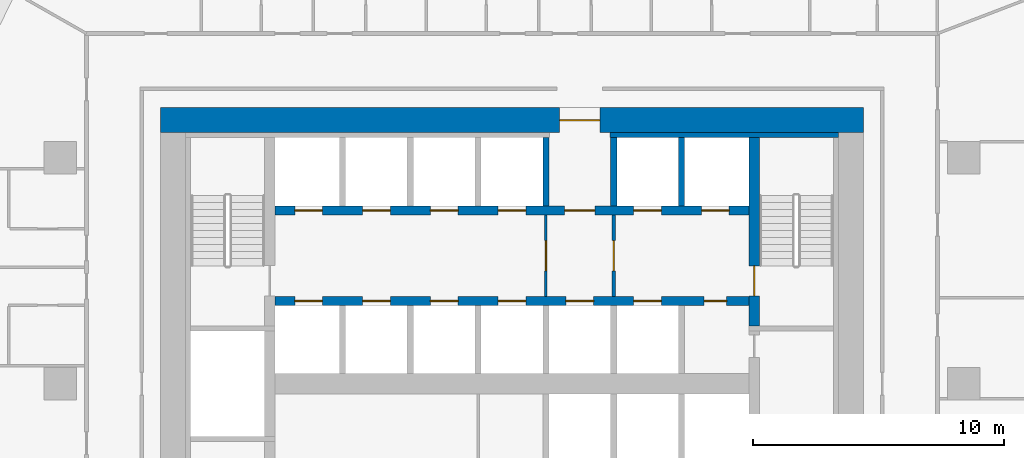
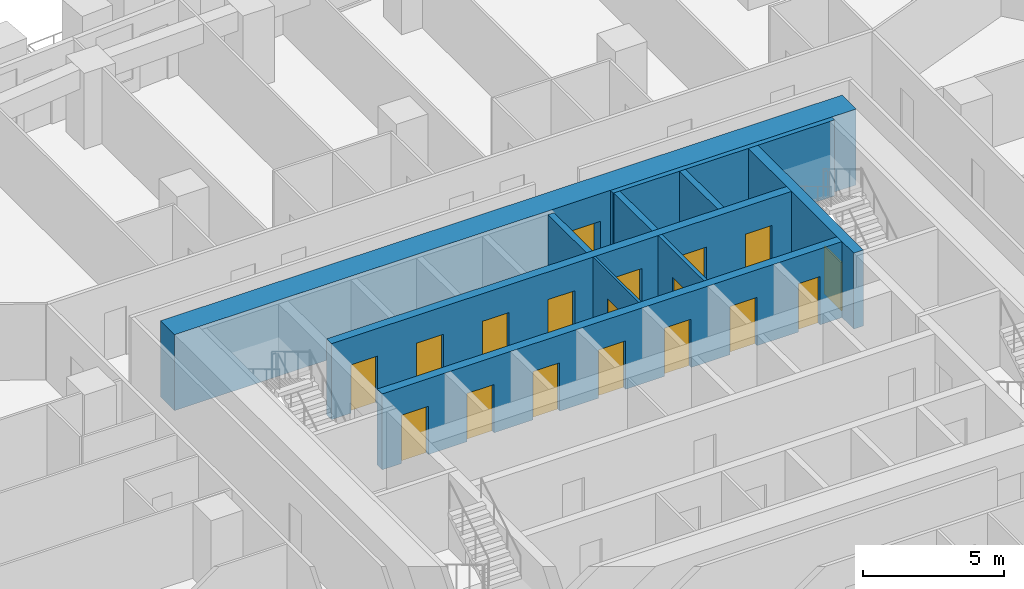
# One storey, part 16 of 24: 18 doors, 10 walls, 18 openings.
"""IFC4 building model written with IfcOpenShell, lengths in metres."""

from ifc_helpers import new_model, si_unit, direction, frame, frame_2d, origin, place, context, subcontext, project, spatial, rectangle, extrude, material, layer, layer_set, type_object, element, fill, save


model = new_model("IFC4")

# Units and contexts
model_context = context("Model", 3, precision=1e-05, world=origin(), true_north=direction((0.0, 1.0)))
body_context = subcontext(model_context, "Body", "Model", "MODEL_VIEW")
ifc_project = project(units=[si_unit("LENGTHUNIT", "METRE"), si_unit("AREAUNIT", "SQUARE_METRE"), si_unit("VOLUMEUNIT", "CUBIC_METRE"), si_unit("PLANEANGLEUNIT", "RADIAN"), si_unit("MASSUNIT", "GRAM", prefix="KILO")], contexts=[model_context])

# Site, building, storey
site_placement = place(None, origin())
site = spatial("IfcSite", under=ifc_project, at=site_placement, CompositionType="ELEMENT")
building_placement = place(site_placement, origin())
building = spatial("IfcBuilding", under=site, at=building_placement, Name="Dongbaek Canopy Tower", CompositionType="ELEMENT")
storey_placement = place(building_placement, frame((0.0, 0.0, 110.0)))
storey = spatial("IfcBuildingStorey", under=building, at=storey_placement, Name="L23", CompositionType="ELEMENT", Elevation=110.0)

# Wall, openings, doors
ifc_material_1 = material(Name="Concrete C60/75", Category="concrete")
ifc_layer_1 = layer(ifc_material_1, 0.35009765625)
ifc_layer_set_1 = layer_set([ifc_layer_1], Name="Core lobby wall 350 Concrete C60/75")
wall_type_1 = type_object("IfcWallType", Name="Core lobby wall 350 Concrete C60/75", PredefinedType="SHEAR", material=ifc_layer_set_1)
wall_1_placement = place(storey_placement, frame((-9.449951171875, 6.89990234375, 0.0), z_axis=(0.0, 0.0, 1.0), x_axis=(1.0, 0.0, 0.0)))
wall_1 = element("IfcWall", 1, at=wall_1_placement, inside=storey, type_object=wall_type_1, Name="Core wall", PredefinedType="SHEAR", context=body_context, shape_type="SweptSolid", body=[
    extrude(rectangle(XDim=18.89990234375, YDim=0.35009765625, at=frame_2d((9.449951171875, 0.0))), origin(), (0.0, 0.0, 1.0), 3.300048828125),
])
opening_1_placement = place(wall_1_placement, frame((0.800048828125, 0.0, 0.0)))
opening_1 = element("IfcOpeningElement", 2, at=opening_1_placement, cuts=wall_1, Name="Opening L23-D042", PredefinedType="OPENING", context=body_context, shape_type="SweptSolid", body=[
    extrude(rectangle(XDim=1.10009765625, YDim=2.10009765625, at=frame_2d((0.550048828125, 1.050048828125))), frame((0.0, 0.18505859375, 0.0), z_axis=(0.0, -1.0, 0.0), x_axis=(1.0, 0.0, 0.0)), (0.0, 0.0, 1.0), 0.3701171875),
])
opening_2_placement = place(wall_1_placement, frame((3.5, 0.0, 0.0)))
opening_2 = element("IfcOpeningElement", 3, at=opening_2_placement, cuts=wall_1, Name="Opening L23-D043", PredefinedType="OPENING", context=body_context, shape_type="SweptSolid", body=[
    extrude(rectangle(XDim=1.10009765625, YDim=2.10009765625, at=frame_2d((0.550048828125, 1.050048828125))), frame((0.0, 0.18505859375, 0.0), z_axis=(0.0, -1.0, 0.0), x_axis=(1.0, 0.0, 0.0)), (0.0, 0.0, 1.0), 0.3701171875),
])
opening_3_placement = place(wall_1_placement, frame((6.199951171875, 0.0, 0.0)))
opening_3 = element("IfcOpeningElement", 4, at=opening_3_placement, cuts=wall_1, Name="Opening L23-D044", PredefinedType="OPENING", context=body_context, shape_type="SweptSolid", body=[
    extrude(rectangle(XDim=1.10009765625, YDim=2.10009765625, at=frame_2d((0.550048828125, 1.050048828125))), frame((0.0, 0.18505859375, 0.0), z_axis=(0.0, -1.0, 0.0), x_axis=(1.0, 0.0, 0.0)), (0.0, 0.0, 1.0), 0.3701171875),
])
opening_4_placement = place(wall_1_placement, frame((8.89990234375, 0.0, 0.0)))
opening_4 = element("IfcOpeningElement", 5, at=opening_4_placement, cuts=wall_1, Name="Opening L23-D045", PredefinedType="OPENING", context=body_context, shape_type="SweptSolid", body=[
    extrude(rectangle(XDim=1.10009765625, YDim=2.10009765625, at=frame_2d((0.550048828125, 1.050048828125))), frame((0.0, 0.18505859375, 0.0), z_axis=(0.0, -1.0, 0.0), x_axis=(1.0, 0.0, 0.0)), (0.0, 0.0, 1.0), 0.3701171875),
])
opening_5_placement = place(wall_1_placement, frame((11.550048828125, 0.0, 0.0)))
opening_5 = element("IfcOpeningElement", 6, at=opening_5_placement, cuts=wall_1, Name="Opening L23-D047", PredefinedType="OPENING", context=body_context, shape_type="SweptSolid", body=[
    extrude(rectangle(XDim=1.199951171875, YDim=2.10009765625, at=frame_2d((0.60009765625, 1.050048828125))), frame((0.0, 0.18505859375, 0.0), z_axis=(0.0, -1.0, 0.0), x_axis=(1.0, 0.0, 0.0)), (0.0, 0.0, 1.0), 0.3701171875),
])
opening_6_placement = place(wall_1_placement, frame((14.300048828125, 0.0, 0.0)))
opening_6 = element("IfcOpeningElement", 7, at=opening_6_placement, cuts=wall_1, Name="Opening L23-D048", PredefinedType="OPENING", context=body_context, shape_type="SweptSolid", body=[
    extrude(rectangle(XDim=1.10009765625, YDim=2.10009765625, at=frame_2d((0.550048828125, 1.050048828125))), frame((0.0, 0.18505859375, 0.0), z_axis=(0.0, -1.0, 0.0), x_axis=(1.0, 0.0, 0.0)), (0.0, 0.0, 1.0), 0.3701171875),
])
opening_7_placement = place(wall_1_placement, frame((17.0, 0.0, 0.0)))
opening_7 = element("IfcOpeningElement", 8, at=opening_7_placement, cuts=wall_1, Name="Opening L23-D049", PredefinedType="OPENING", context=body_context, shape_type="SweptSolid", body=[
    extrude(rectangle(XDim=1.10009765625, YDim=2.10009765625, at=frame_2d((0.550048828125, 1.050048828125))), frame((0.0, 0.18505859375, 0.0), z_axis=(0.0, -1.0, 0.0), x_axis=(1.0, 0.0, 0.0)), (0.0, 0.0, 1.0), 0.3701171875),
])
ifc_material_2 = material(Name="Steel", Category="steel")
door_type_1 = type_object("IfcDoorType", Name="Fire lobby door 1200 x 2100", OperationType="SINGLE_SWING_LEFT", PredefinedType="DOOR", material=ifc_material_2)
door_1_placement = place(opening_5_placement, origin())
door_1 = element("IfcDoor", 9, at=door_1_placement, inside=storey, type_object=door_type_1, Name="Door L23-D047", OperationType="SINGLE_SWING_LEFT", OverallHeight=2.10009765625, OverallWidth=1.199951171875, PredefinedType="DOOR", context=body_context, shape_type="SweptSolid", body=[
    extrude(rectangle(XDim=1.199951171875, YDim=2.10009765625, at=frame_2d((0.60009765625, 1.050048828125))), frame((0.0, 0.02490234375, 0.0), z_axis=(0.0, -1.0, 0.0), x_axis=(1.0, 0.0, 0.0)), (0.0, 0.0, 1.0), 0.050048828125),
])
fill(opening_5, door_1)
ifc_material_3 = material(Name="Stainless steel", Category="steel")
door_type_2 = type_object("IfcDoorType", Name="Lift landing door 1100 x 2100", OperationType="DOUBLE_DOOR_SLIDING", PredefinedType="DOOR", material=ifc_material_3)
door_2_placement = place(opening_1_placement, origin())
door_2 = element("IfcDoor", 10, at=door_2_placement, inside=storey, type_object=door_type_2, Name="Landing door LR1", OperationType="DOUBLE_DOOR_SLIDING", OverallHeight=2.10009765625, OverallWidth=1.10009765625, PredefinedType="DOOR", context=body_context, shape_type="SweptSolid", body=[
    extrude(rectangle(XDim=1.10009765625, YDim=2.10009765625, at=frame_2d((0.550048828125, 1.050048828125))), frame((0.0, 0.02490234375, 0.0), z_axis=(0.0, -1.0, 0.0), x_axis=(1.0, 0.0, 0.0)), (0.0, 0.0, 1.0), 0.050048828125),
])
fill(opening_1, door_2)
door_3_placement = place(opening_2_placement, origin())
door_3 = element("IfcDoor", 11, at=door_3_placement, inside=storey, type_object=door_type_2, Name="Landing door LR2", OperationType="DOUBLE_DOOR_SLIDING", OverallHeight=2.10009765625, OverallWidth=1.10009765625, PredefinedType="DOOR", context=body_context, shape_type="SweptSolid", body=[
    extrude(rectangle(XDim=1.10009765625, YDim=2.10009765625, at=frame_2d((0.550048828125, 1.050048828125))), frame((0.0, 0.02490234375, 0.0), z_axis=(0.0, -1.0, 0.0), x_axis=(1.0, 0.0, 0.0)), (0.0, 0.0, 1.0), 0.050048828125),
])
fill(opening_2, door_3)
door_4_placement = place(opening_3_placement, origin())
door_4 = element("IfcDoor", 12, at=door_4_placement, inside=storey, type_object=door_type_2, Name="Landing door LR3", OperationType="DOUBLE_DOOR_SLIDING", OverallHeight=2.10009765625, OverallWidth=1.10009765625, PredefinedType="DOOR", context=body_context, shape_type="SweptSolid", body=[
    extrude(rectangle(XDim=1.10009765625, YDim=2.10009765625, at=frame_2d((0.550048828125, 1.050048828125))), frame((0.0, 0.02490234375, 0.0), z_axis=(0.0, -1.0, 0.0), x_axis=(1.0, 0.0, 0.0)), (0.0, 0.0, 1.0), 0.050048828125),
])
fill(opening_3, door_4)
door_5_placement = place(opening_4_placement, origin())
door_5 = element("IfcDoor", 13, at=door_5_placement, inside=storey, type_object=door_type_2, Name="Landing door LR4", OperationType="DOUBLE_DOOR_SLIDING", OverallHeight=2.10009765625, OverallWidth=1.10009765625, PredefinedType="DOOR", context=body_context, shape_type="SweptSolid", body=[
    extrude(rectangle(XDim=1.10009765625, YDim=2.10009765625, at=frame_2d((0.550048828125, 1.050048828125))), frame((0.0, 0.02490234375, 0.0), z_axis=(0.0, -1.0, 0.0), x_axis=(1.0, 0.0, 0.0)), (0.0, 0.0, 1.0), 0.050048828125),
])
fill(opening_4, door_5)
door_6_placement = place(opening_6_placement, origin())
door_6 = element("IfcDoor", 14, at=door_6_placement, inside=storey, type_object=door_type_2, Name="Landing door FF1", OperationType="DOUBLE_DOOR_SLIDING", OverallHeight=2.10009765625, OverallWidth=1.10009765625, PredefinedType="DOOR", context=body_context, shape_type="SweptSolid", body=[
    extrude(rectangle(XDim=1.10009765625, YDim=2.10009765625, at=frame_2d((0.550048828125, 1.050048828125))), frame((0.0, 0.02490234375, 0.0), z_axis=(0.0, -1.0, 0.0), x_axis=(1.0, 0.0, 0.0)), (0.0, 0.0, 1.0), 0.050048828125),
])
fill(opening_6, door_6)
door_7_placement = place(opening_7_placement, origin())
door_7 = element("IfcDoor", 15, at=door_7_placement, inside=storey, type_object=door_type_2, Name="Landing door FF2", OperationType="DOUBLE_DOOR_SLIDING", OverallHeight=2.10009765625, OverallWidth=1.10009765625, PredefinedType="DOOR", context=body_context, shape_type="SweptSolid", body=[
    extrude(rectangle(XDim=1.10009765625, YDim=2.10009765625, at=frame_2d((0.550048828125, 1.050048828125))), frame((0.0, 0.02490234375, 0.0), z_axis=(0.0, -1.0, 0.0), x_axis=(1.0, 0.0, 0.0)), (0.0, 0.0, 1.0), 0.050048828125),
])
fill(opening_7, door_7)

wall_2_placement = place(storey_placement, frame((9.449951171875, 3.300048828125, 0.0), z_axis=(0.0, 0.0, 1.0), x_axis=(-1.0, 0.0, 0.0)))
wall_2 = element("IfcWall", 16, at=wall_2_placement, inside=storey, type_object=wall_type_1, Name="Core wall", PredefinedType="SHEAR", context=body_context, shape_type="SweptSolid", body=[
    extrude(rectangle(XDim=18.89990234375, YDim=0.35009765625, at=frame_2d((9.449951171875, 0.0))), origin(), (0.0, 0.0, 1.0), 3.300048828125),
])
opening_8_placement = place(wall_2_placement, frame((17.0, 0.0, 0.0)))
opening_8 = element("IfcOpeningElement", 17, at=opening_8_placement, cuts=wall_2, Name="Opening L23-D050", PredefinedType="OPENING", context=body_context, shape_type="SweptSolid", body=[
    extrude(rectangle(XDim=1.10009765625, YDim=2.10009765625, at=frame_2d((0.550048828125, 1.050048828125))), frame((0.0, 0.18505859375, 0.0), z_axis=(0.0, -1.0, 0.0), x_axis=(1.0, 0.0, 0.0)), (0.0, 0.0, 1.0), 0.3701171875),
])
opening_9_placement = place(wall_2_placement, frame((14.300048828125, 0.0, 0.0)))
opening_9 = element("IfcOpeningElement", 18, at=opening_9_placement, cuts=wall_2, Name="Opening L23-D051", PredefinedType="OPENING", context=body_context, shape_type="SweptSolid", body=[
    extrude(rectangle(XDim=1.10009765625, YDim=2.10009765625, at=frame_2d((0.550048828125, 1.050048828125))), frame((0.0, 0.18505859375, 0.0), z_axis=(0.0, -1.0, 0.0), x_axis=(1.0, 0.0, 0.0)), (0.0, 0.0, 1.0), 0.3701171875),
])
opening_10_placement = place(wall_2_placement, frame((11.60009765625, 0.0, 0.0)))
opening_10 = element("IfcOpeningElement", 19, at=opening_10_placement, cuts=wall_2, Name="Opening L23-D052", PredefinedType="OPENING", context=body_context, shape_type="SweptSolid", body=[
    extrude(rectangle(XDim=1.10009765625, YDim=2.10009765625, at=frame_2d((0.550048828125, 1.050048828125))), frame((0.0, 0.18505859375, 0.0), z_axis=(0.0, -1.0, 0.0), x_axis=(1.0, 0.0, 0.0)), (0.0, 0.0, 1.0), 0.3701171875),
])
opening_11_placement = place(wall_2_placement, frame((8.89990234375, 0.0, 0.0)))
opening_11 = element("IfcOpeningElement", 20, at=opening_11_placement, cuts=wall_2, Name="Opening L23-D053", PredefinedType="OPENING", context=body_context, shape_type="SweptSolid", body=[
    extrude(rectangle(XDim=1.10009765625, YDim=2.10009765625, at=frame_2d((0.550048828125, 1.050048828125))), frame((0.0, 0.18505859375, 0.0), z_axis=(0.0, -1.0, 0.0), x_axis=(1.0, 0.0, 0.0)), (0.0, 0.0, 1.0), 0.3701171875),
])
opening_12_placement = place(wall_2_placement, frame((6.199951171875, 0.0, 0.0)))
opening_12 = element("IfcOpeningElement", 21, at=opening_12_placement, cuts=wall_2, Name="Opening L23-D054", PredefinedType="OPENING", context=body_context, shape_type="SweptSolid", body=[
    extrude(rectangle(XDim=1.10009765625, YDim=2.10009765625, at=frame_2d((0.550048828125, 1.050048828125))), frame((0.0, 0.18505859375, 0.0), z_axis=(0.0, -1.0, 0.0), x_axis=(1.0, 0.0, 0.0)), (0.0, 0.0, 1.0), 0.3701171875),
])
opening_13_placement = place(wall_2_placement, frame((3.5, 0.0, 0.0)))
opening_13 = element("IfcOpeningElement", 22, at=opening_13_placement, cuts=wall_2, Name="Opening L23-D055", PredefinedType="OPENING", context=body_context, shape_type="SweptSolid", body=[
    extrude(rectangle(XDim=1.10009765625, YDim=2.10009765625, at=frame_2d((0.550048828125, 1.050048828125))), frame((0.0, 0.18505859375, 0.0), z_axis=(0.0, -1.0, 0.0), x_axis=(1.0, 0.0, 0.0)), (0.0, 0.0, 1.0), 0.3701171875),
])
opening_14_placement = place(wall_2_placement, frame((0.89990234375, 0.0, 0.0)))
opening_14 = element("IfcOpeningElement", 23, at=opening_14_placement, cuts=wall_2, Name="Opening L23-D056", PredefinedType="OPENING", context=body_context, shape_type="SweptSolid", body=[
    extrude(rectangle(XDim=0.89990234375, YDim=2.10009765625, at=frame_2d((0.449951171875, 1.050048828125))), frame((0.0, 0.18505859375, 0.0), z_axis=(0.0, -1.0, 0.0), x_axis=(1.0, 0.0, 0.0)), (0.0, 0.0, 1.0), 0.3701171875),
])
ifc_material_4 = material(Name="Steel", Category="steel")
door_type_3 = type_object("IfcDoorType", Name="Core room door 900 x 2100", OperationType="SINGLE_SWING_LEFT", PredefinedType="DOOR", material=ifc_material_4)
door_8_placement = place(opening_14_placement, origin())
door_8 = element("IfcDoor", 24, at=door_8_placement, inside=storey, type_object=door_type_3, Name="Door L23-D056", OperationType="SINGLE_SWING_LEFT", OverallHeight=2.10009765625, OverallWidth=0.89990234375, PredefinedType="DOOR", context=body_context, shape_type="SweptSolid", body=[
    extrude(rectangle(XDim=0.89990234375, YDim=2.10009765625, at=frame_2d((0.449951171875, 1.050048828125))), frame((0.0, 0.02490234375, 0.0), z_axis=(0.0, -1.0, 0.0), x_axis=(1.0, 0.0, 0.0)), (0.0, 0.0, 1.0), 0.050048828125),
])
fill(opening_14, door_8)
door_9_placement = place(opening_8_placement, origin())
door_9 = element("IfcDoor", 25, at=door_9_placement, inside=storey, type_object=door_type_2, Name="Landing door LR5", OperationType="DOUBLE_DOOR_SLIDING", OverallHeight=2.10009765625, OverallWidth=1.10009765625, PredefinedType="DOOR", context=body_context, shape_type="SweptSolid", body=[
    extrude(rectangle(XDim=1.10009765625, YDim=2.10009765625, at=frame_2d((0.550048828125, 1.050048828125))), frame((0.0, 0.02490234375, 0.0), z_axis=(0.0, -1.0, 0.0), x_axis=(1.0, 0.0, 0.0)), (0.0, 0.0, 1.0), 0.050048828125),
])
fill(opening_8, door_9)
door_10_placement = place(opening_9_placement, origin())
door_10 = element("IfcDoor", 26, at=door_10_placement, inside=storey, type_object=door_type_2, Name="Landing door LR6", OperationType="DOUBLE_DOOR_SLIDING", OverallHeight=2.10009765625, OverallWidth=1.10009765625, PredefinedType="DOOR", context=body_context, shape_type="SweptSolid", body=[
    extrude(rectangle(XDim=1.10009765625, YDim=2.10009765625, at=frame_2d((0.550048828125, 1.050048828125))), frame((0.0, 0.02490234375, 0.0), z_axis=(0.0, -1.0, 0.0), x_axis=(1.0, 0.0, 0.0)), (0.0, 0.0, 1.0), 0.050048828125),
])
fill(opening_9, door_10)
door_11_placement = place(opening_10_placement, origin())
door_11 = element("IfcDoor", 27, at=door_11_placement, inside=storey, type_object=door_type_2, Name="Landing door LR7", OperationType="DOUBLE_DOOR_SLIDING", OverallHeight=2.10009765625, OverallWidth=1.10009765625, PredefinedType="DOOR", context=body_context, shape_type="SweptSolid", body=[
    extrude(rectangle(XDim=1.10009765625, YDim=2.10009765625, at=frame_2d((0.550048828125, 1.050048828125))), frame((0.0, 0.02490234375, 0.0), z_axis=(0.0, -1.0, 0.0), x_axis=(1.0, 0.0, 0.0)), (0.0, 0.0, 1.0), 0.050048828125),
])
fill(opening_10, door_11)
door_12_placement = place(opening_11_placement, origin())
door_12 = element("IfcDoor", 28, at=door_12_placement, inside=storey, type_object=door_type_2, Name="Landing door LR8", OperationType="DOUBLE_DOOR_SLIDING", OverallHeight=2.10009765625, OverallWidth=1.10009765625, PredefinedType="DOOR", context=body_context, shape_type="SweptSolid", body=[
    extrude(rectangle(XDim=1.10009765625, YDim=2.10009765625, at=frame_2d((0.550048828125, 1.050048828125))), frame((0.0, 0.02490234375, 0.0), z_axis=(0.0, -1.0, 0.0), x_axis=(1.0, 0.0, 0.0)), (0.0, 0.0, 1.0), 0.050048828125),
])
fill(opening_11, door_12)
door_13_placement = place(opening_12_placement, origin())
door_13 = element("IfcDoor", 29, at=door_13_placement, inside=storey, type_object=door_type_2, Name="Landing door SV1", OperationType="DOUBLE_DOOR_SLIDING", OverallHeight=2.10009765625, OverallWidth=1.10009765625, PredefinedType="DOOR", context=body_context, shape_type="SweptSolid", body=[
    extrude(rectangle(XDim=1.10009765625, YDim=2.10009765625, at=frame_2d((0.550048828125, 1.050048828125))), frame((0.0, 0.02490234375, 0.0), z_axis=(0.0, -1.0, 0.0), x_axis=(1.0, 0.0, 0.0)), (0.0, 0.0, 1.0), 0.050048828125),
])
fill(opening_12, door_13)
door_14_placement = place(opening_13_placement, origin())
door_14 = element("IfcDoor", 30, at=door_14_placement, inside=storey, type_object=door_type_2, Name="Landing door FF3", OperationType="DOUBLE_DOOR_SLIDING", OverallHeight=2.10009765625, OverallWidth=1.10009765625, PredefinedType="DOOR", context=body_context, shape_type="SweptSolid", body=[
    extrude(rectangle(XDim=1.10009765625, YDim=2.10009765625, at=frame_2d((0.550048828125, 1.050048828125))), frame((0.0, 0.02490234375, 0.0), z_axis=(0.0, -1.0, 0.0), x_axis=(1.0, 0.0, 0.0)), (0.0, 0.0, 1.0), 0.050048828125),
])
fill(opening_13, door_14)

# Wall, opening, door
ifc_material_5 = material(Name="Concrete C60/75", Category="concrete")
ifc_layer_2 = layer(ifc_material_5, 1.0)
ifc_layer_set_2 = layer_set([ifc_layer_2], Name="Core outer wall 1000 Concrete C60/75")
wall_type_2 = type_object("IfcWallType", Name="Core outer wall 1000 Concrete C60/75", PredefinedType="SHEAR", material=ifc_layer_set_2)
wall_3_placement = place(storey_placement, frame((-14.0, 10.5, 0.0), z_axis=(0.0, 0.0, 1.0), x_axis=(1.0, 0.0, 0.0)))
wall_3 = element("IfcWall", 31, at=wall_3_placement, inside=storey, type_object=wall_type_2, Name="Core wall", PredefinedType="SHEAR", context=body_context, shape_type="SweptSolid", body=[
    extrude(rectangle(XDim=28.0, YDim=1.0, at=frame_2d((14.0, 0.0))), origin(), (0.0, 0.0, 1.0), 3.300048828125),
])
opening_15_placement = place(wall_3_placement, frame((15.89990234375, 0.0, 0.0)))
opening_15 = element("IfcOpeningElement", 32, at=opening_15_placement, cuts=wall_3, Name="Opening L23-D046", PredefinedType="OPENING", context=body_context, shape_type="SweptSolid", body=[
    extrude(rectangle(XDim=1.60009765625, YDim=2.10009765625, at=frame_2d((0.800048828125, 1.050048828125))), frame((0.0, 0.510009765625, 0.0), z_axis=(0.0, -1.0, 0.0), x_axis=(1.0, 0.0, 0.0)), (0.0, 0.0, 1.0), 1.02001953125),
])
ifc_material_6 = material(Name="Steel", Category="steel")
door_type_4 = type_object("IfcDoorType", Name="Core exit door 1600 x 2100", OperationType="DOUBLE_DOOR_SINGLE_SWING", PredefinedType="DOOR", material=ifc_material_6)
door_15_placement = place(opening_15_placement, origin())
door_15 = element("IfcDoor", 33, at=door_15_placement, inside=storey, type_object=door_type_4, Name="Core exit door", OperationType="DOUBLE_DOOR_SINGLE_SWING", OverallHeight=2.10009765625, OverallWidth=1.60009765625, PredefinedType="DOOR", context=body_context, shape_type="SweptSolid", body=[
    extrude(rectangle(XDim=1.60009765625, YDim=2.10009765625, at=frame_2d((0.800048828125, 1.050048828125))), frame((0.0, 0.02490234375, 0.0), z_axis=(0.0, -1.0, 0.0), x_axis=(1.0, 0.0, 0.0)), (0.0, 0.0, 1.0), 0.050048828125),
])
fill(opening_15, door_15)

# Wall
ifc_material_7 = material(Name="Concrete C60/75", Category="concrete")
ifc_layer_3 = layer(ifc_material_7, 0.199951171875)
ifc_layer_set_3 = layer_set([ifc_layer_3], Name="Core wall lining 200 Concrete C60/75")
wall_type_3 = type_object("IfcWallType", Name="Core wall lining 200 Concrete C60/75", PredefinedType="SHEAR", material=ifc_layer_set_3)
wall_4_placement = place(storey_placement, frame((3.89990234375, 9.89990234375, 0.0), z_axis=(0.0, 0.0, 1.0), x_axis=(1.0, 0.0, 0.0)))
element("IfcWall", 34, at=wall_4_placement, inside=storey, type_object=wall_type_3, Name="Core wall lining", PredefinedType="SHEAR", context=body_context, shape_type="SweptSolid", body=[
    extrude(rectangle(XDim=9.10009765625, YDim=0.199951171875, at=frame_2d((4.550048828125, 0.0))), origin(), (0.0, 0.0, 1.0), 3.300048828125),
])

# Wall, opening, door
ifc_material_8 = material(Name="Gypsum board partition, steel stud, 2 x 15 mm fire board", Category="steel")
ifc_layer_4 = layer(ifc_material_8, 0.14990234375)
ifc_layer_set_4 = layer_set([ifc_layer_4], Name="Fire-rated partition 150 gypsum board")
wall_type_4 = type_object("IfcWallType", Name="Fire-rated partition 150 gypsum board", PredefinedType="PARTITIONING", material=ifc_layer_set_4)
wall_5_placement = place(storey_placement, frame((4.050048828125, 6.72509765625, 0.0), z_axis=(0.0, 0.0, 1.0), x_axis=(0.0, -1.0, 0.0)))
wall_5 = element("IfcWall", 35, at=wall_5_placement, inside=storey, type_object=wall_type_4, Name="Fire lobby partition", PredefinedType="PARTITIONING", context=body_context, shape_type="SweptSolid", body=[
    extrude(rectangle(XDim=3.25, YDim=0.14990234375, at=frame_2d((1.625, 0.0))), origin(), (0.0, 0.0, 1.0), 3.300048828125),
])
opening_16_placement = place(wall_5_placement, frame((1.02490234375, 0.0, 0.0)))
opening_16 = element("IfcOpeningElement", 36, at=opening_16_placement, cuts=wall_5, Name="Opening L23-D070", PredefinedType="OPENING", context=body_context, shape_type="SweptSolid", body=[
    extrude(rectangle(XDim=1.199951171875, YDim=2.10009765625, at=frame_2d((0.60009765625, 1.050048828125))), frame((0.0, 0.0849609375, 0.0), z_axis=(0.0, -1.0, 0.0), x_axis=(1.0, 0.0, 0.0)), (0.0, 0.0, 1.0), 0.169921875),
])
door_16_placement = place(opening_16_placement, origin())
door_16 = element("IfcDoor", 37, at=door_16_placement, inside=storey, type_object=door_type_1, Name="Door L23-D070", OperationType="SINGLE_SWING_RIGHT", OverallHeight=2.10009765625, OverallWidth=1.199951171875, PredefinedType="DOOR", context=body_context, shape_type="SweptSolid", body=[
    extrude(rectangle(XDim=1.199951171875, YDim=2.10009765625, at=frame_2d((0.60009765625, 1.050048828125))), frame((0.0, 0.02490234375, 0.0), z_axis=(0.0, -1.0, 0.0), x_axis=(1.0, 0.0, 0.0)), (0.0, 0.0, 1.0), 0.050048828125),
])
fill(opening_16, door_16)

# Walls
ifc_material_9 = material(Name="Concrete C40/50", Category="concrete")
ifc_layer_5 = layer(ifc_material_9, 0.25)
ifc_layer_set_5 = layer_set([ifc_layer_5], Name="Lift shaft wall 250 Concrete C40/50")
wall_type_5 = type_object("IfcWallType", Name="Lift shaft wall 250 Concrete C40/50", PredefinedType="SOLIDWALL", material=ifc_layer_set_5)
for number, where, z_axis, x_axis, name in (
    (38, (6.75, 7.074951171875, 0.0), (0.0, 0.0, 1.0), (0.0, 1.0, 0.0), "Lift shaft wall"),
    (39, (4.050048828125, 7.074951171875, 0.0), (0.0, 0.0, 1.0), (0.0, 1.0, 0.0), "Lift shaft wall"),
    (40, (1.35009765625, 7.074951171875, 0.0), (0.0, 0.0, 1.0), (0.0, 1.0, 0.0), "Lift shaft wall"),
):
    element("IfcWall", number, at=place(storey_placement, frame(where, z_axis=z_axis, x_axis=x_axis)), inside=storey, type_object=wall_type_5, Name=name, PredefinedType="SOLIDWALL", context=body_context, shape_type="SweptSolid", body=[
        extrude(rectangle(XDim=2.72509765625, YDim=0.25, at=frame_2d((1.362548828125, 0.0))), origin(), (0.0, 0.0, 1.0), 3.300048828125),
    ])

# Wall, opening, door
ifc_material_10 = material(Name="Gypsum board partition, steel stud, 2 x 12.5 mm board", Category="steel")
ifc_layer_6 = layer(ifc_material_10, 0.10009765625)
ifc_layer_set_6 = layer_set([ifc_layer_6], Name="Partition 100 gypsum board")
wall_type_6 = type_object("IfcWallType", Name="Partition 100 gypsum board", PredefinedType="PARTITIONING", material=ifc_layer_set_6)
wall_6_placement = place(storey_placement, frame((1.35009765625, 6.72509765625, 0.0), z_axis=(0.0, 0.0, 1.0), x_axis=(0.0, -1.0, 0.0)))
wall_6 = element("IfcWall", 41, at=wall_6_placement, inside=storey, type_object=wall_type_6, Name="Core partition", PredefinedType="PARTITIONING", context=body_context, shape_type="SweptSolid", body=[
    extrude(rectangle(XDim=3.25, YDim=0.10009765625, at=frame_2d((1.625, 0.0))), origin(), (0.0, 0.0, 1.0), 3.300048828125),
])
opening_17_placement = place(wall_6_placement, frame((1.02490234375, 0.0, 0.0)))
opening_17 = element("IfcOpeningElement", 42, at=opening_17_placement, cuts=wall_6, Name="Opening L23-D069", PredefinedType="OPENING", context=body_context, shape_type="SweptSolid", body=[
    extrude(rectangle(XDim=1.199951171875, YDim=2.10009765625, at=frame_2d((0.60009765625, 1.050048828125))), frame((0.0, 0.06005859375, 0.0), z_axis=(0.0, -1.0, 0.0), x_axis=(1.0, 0.0, 0.0)), (0.0, 0.0, 1.0), 0.1201171875),
])
door_17_placement = place(opening_17_placement, origin())
door_17 = element("IfcDoor", 43, at=door_17_placement, inside=storey, type_object=door_type_1, Name="Door L23-D069", OperationType="SINGLE_SWING_LEFT", OverallHeight=2.10009765625, OverallWidth=1.199951171875, PredefinedType="DOOR", context=body_context, shape_type="SweptSolid", body=[
    extrude(rectangle(XDim=1.199951171875, YDim=2.10009765625, at=frame_2d((0.60009765625, 1.050048828125))), frame((0.0, 0.02490234375, 0.0), z_axis=(0.0, -1.0, 0.0), x_axis=(1.0, 0.0, 0.0)), (0.0, 0.0, 1.0), 0.050048828125),
])
fill(opening_17, door_17)

ifc_material_11 = material(Name="Concrete C60/75", Category="concrete")
ifc_layer_7 = layer(ifc_material_11, 0.39990234375)
ifc_layer_set_7 = layer_set([ifc_layer_7], Name="Stair wall 400 Concrete C60/75")
wall_type_7 = type_object("IfcWallType", Name="Stair wall 400 Concrete C60/75", PredefinedType="SHEAR", material=ifc_layer_set_7)
wall_7_placement = place(storey_placement, frame((9.64990234375, 9.800048828125, 0.0), z_axis=(0.0, 0.0, 1.0), x_axis=(0.0, -1.0, 0.0)))
wall_7 = element("IfcWall", 44, at=wall_7_placement, inside=storey, type_object=wall_type_7, Name="Stair wall", PredefinedType="SHEAR", context=body_context, shape_type="SweptSolid", body=[
    extrude(rectangle(XDim=7.5, YDim=0.39990234375, at=frame_2d((3.75, 0.0))), origin(), (0.0, 0.0, 1.0), 3.300048828125),
])
opening_18_placement = place(wall_7_placement, frame((5.10009765625, 0.0, 0.0)))
opening_18 = element("IfcOpeningElement", 45, at=opening_18_placement, cuts=wall_7, Name="Opening L23-D065", PredefinedType="OPENING", context=body_context, shape_type="SweptSolid", body=[
    extrude(rectangle(XDim=1.199951171875, YDim=2.10009765625, at=frame_2d((0.60009765625, 1.050048828125))), frame((0.0, 0.2099609375, 0.0), z_axis=(0.0, -1.0, 0.0), x_axis=(1.0, 0.0, 0.0)), (0.0, 0.0, 1.0), 0.419921875),
])
ifc_material_12 = material(Name="Steel", Category="steel")
door_type_5 = type_object("IfcDoorType", Name="Stair door 1200 x 2100", OperationType="SINGLE_SWING_LEFT", PredefinedType="DOOR", material=ifc_material_12)
door_18_placement = place(opening_18_placement, origin())
door_18 = element("IfcDoor", 46, at=door_18_placement, inside=storey, type_object=door_type_5, Name="Stair A door", OperationType="SINGLE_SWING_LEFT", OverallHeight=2.10009765625, OverallWidth=1.199951171875, PredefinedType="DOOR", context=body_context, shape_type="SweptSolid", body=[
    extrude(rectangle(XDim=1.199951171875, YDim=2.10009765625, at=frame_2d((0.60009765625, 1.050048828125))), frame((0.0, 0.02490234375, 0.0), z_axis=(0.0, -1.0, 0.0), x_axis=(1.0, 0.0, 0.0)), (0.0, 0.0, 1.0), 0.050048828125),
])
fill(opening_18, door_18)

save(model, "model.ifc")
